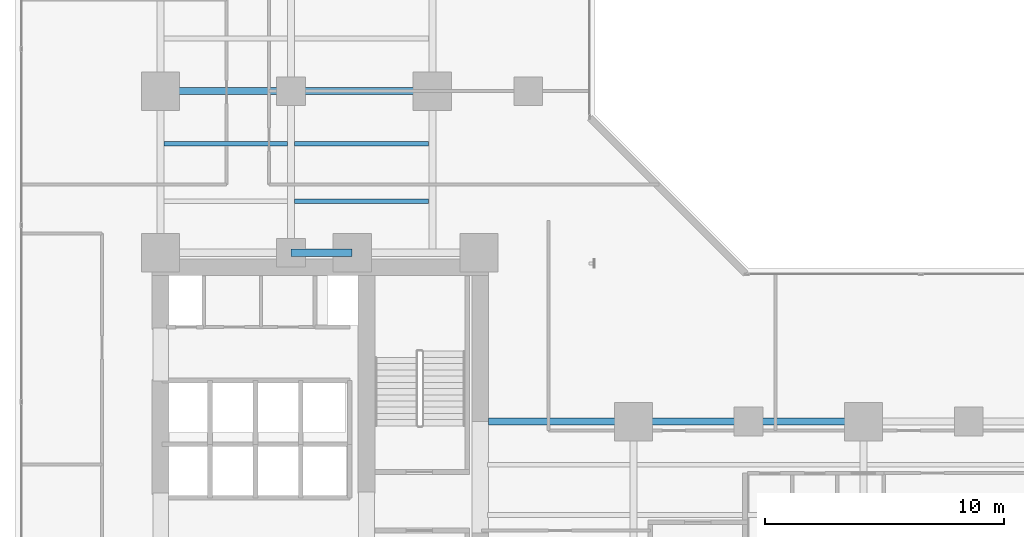
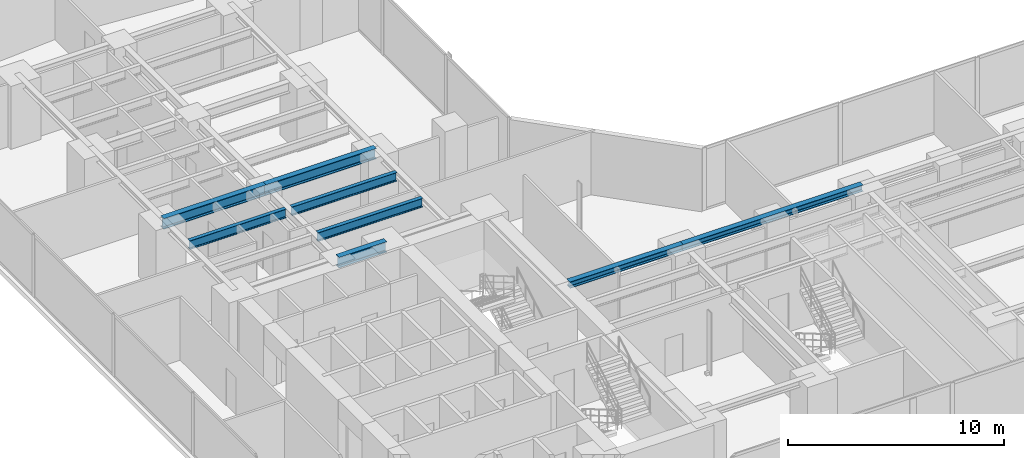
# One storey, part 7 of 28: 8 beams.
"""IFC4 building model written with IfcOpenShell, lengths in metres."""

import ifcopenshell
import ifcopenshell.guid

model = None  # the IFC model being written
_history = None  # IfcOwnerHistory: only IFC2X3 demands one
_inside = {}  # id of a spatial element -> (the spatial element, [elements in it])
_under = {}  # id of a project, library or spatial element -> (it, [spatial elements below it])
_declared = {}  # id of a project -> (the project, [libraries it declares])
_typed = {}  # id of a type object -> (the type object, [elements of that type])
_made_of = {}  # id of a material, layer set ... -> (it, [elements and type objects made of it])


def new_model(schema):
    """Start an empty IFC model of exactly this schema.

    Asked for "IFC4X3", IfcOpenShell would pick the latest addendum, in which some entities
    have other attributes; the version numbers below select the first issue.
    IFC2X3 requires an IfcOwnerHistory on every rooted entity: one is made here for all.
    """
    global model, _history
    if schema == "IFC4X3":
        model = ifcopenshell.file(schema_version=(4, 3, 0, 0))
    else:
        model = ifcopenshell.file(schema=schema)
    _inside.clear()
    _under.clear()
    _declared.clear()
    _typed.clear()
    _made_of.clear()
    _history = None
    if model.schema == "IFC2X3":
        org = make("IfcOrganization", Name="unknown")
        user = make(
            "IfcPersonAndOrganization",
            ThePerson=make("IfcPerson", FamilyName="unknown"),
            TheOrganization=org,
        )
        app = make(
            "IfcApplication",
            ApplicationDeveloper=org,
            Version="unknown",
            ApplicationFullName="unknown",
            ApplicationIdentifier="unknown",
        )
        _history = make(
            "IfcOwnerHistory",
            OwningUser=user,
            OwningApplication=app,
            ChangeAction="ADDED",
            CreationDate=0,
        )
    return model


def make(cls, **values):
    """One entity of the class cls with the attributes given. An attribute that is None is left unset."""
    return model.create_entity(
        cls, **{name: value for name, value in values.items() if value is not None}
    )


def rooted(cls, **values):
    """An entity with a GlobalId (a new one), such as an element, a storey or a relation."""
    return make(cls, GlobalId=ifcopenshell.guid.new(), OwnerHistory=_history, **values)


def si_unit(unit_type, name, prefix=None):
    """IfcSIUnit, for example si_unit("LENGTHUNIT", "METRE", prefix="MILLI")."""
    return make("IfcSIUnit", UnitType=unit_type, Prefix=prefix, Name=name)


def assignment(units):
    """IfcUnitAssignment: the units of a project."""
    return None if units is None else make("IfcUnitAssignment", Units=units)


def point(xyz):
    """IfcCartesianPoint."""
    return None if xyz is None else make("IfcCartesianPoint", Coordinates=xyz)


def direction(xyz):
    """IfcDirection."""
    return None if xyz is None else make("IfcDirection", DirectionRatios=xyz)


def frame(location, z_axis=None, x_axis=None):
    """IfcAxis2Placement3D, a coordinate frame: its origin and axes. An axis left out is left unset."""
    return make(
        "IfcAxis2Placement3D",
        Location=point(location),
        Axis=direction(z_axis),
        RefDirection=direction(x_axis),
    )


def frame_2d(location, x_axis=None):
    """IfcAxis2Placement2D, a coordinate frame in the plane: its origin and x axis."""
    return make(
        "IfcAxis2Placement2D", Location=point(location), RefDirection=direction(x_axis)
    )


def origin():
    """The frame at (0, 0, 0) with its axes left unset."""
    return frame((0.0, 0.0, 0.0))


def origin_2d():
    """The frame at (0, 0) in the plane with its x axis left unset."""
    return frame_2d((0.0, 0.0))


def place(relative_to, where):
    """IfcLocalPlacement: puts the frame where relative to a parent placement (None: the world)."""
    return make(
        "IfcLocalPlacement", PlacementRelTo=relative_to, RelativePlacement=where
    )


def context(
    kind, dimensions, precision=None, world=None, true_north=None, identifier=None
):
    """IfcGeometricRepresentationContext, for example the 3D "Model" context."""
    return make(
        "IfcGeometricRepresentationContext",
        ContextIdentifier=identifier,
        ContextType=kind,
        CoordinateSpaceDimension=dimensions,
        Precision=precision,
        WorldCoordinateSystem=world,
        TrueNorth=true_north,
    )


def subcontext(parent, identifier, kind, view, scale=None):
    """IfcGeometricRepresentationSubContext, for example "Body" below "Model"."""
    return make(
        "IfcGeometricRepresentationSubContext",
        ContextIdentifier=identifier,
        ContextType=kind,
        ParentContext=parent,
        TargetScale=scale,
        TargetView=view,
    )


def project(units=None, contexts=None):
    """IfcProject with its units and contexts."""
    return rooted(
        "IfcProject",
        Name="project",
        RepresentationContexts=contexts,
        UnitsInContext=assignment(units),
    )


def spatial(cls, under=None, at=None, **own):
    """A site, building, storey or space (cls), placed at a placement, below another one or the project."""
    s = rooted(cls, ObjectPlacement=at, **own)
    if under is not None:
        _under.setdefault(under.id(), (under, []))[1].append(s)
    return s


def profile(cls, at=None, kind="AREA", **sizes):
    """A parametric profile (cls). Its sizes go by their IFC names, for example OverallWidth=200.0."""
    return make(cls, ProfileType=kind, Position=at, **sizes)


def i_section(**sizes):
    """IfcIShapeProfileDef."""
    return profile("IfcIShapeProfileDef", **sizes)


def extrude(swept, where, along, depth):
    """IfcExtrudedAreaSolid: the profile swept, set in the frame where, extruded along a direction by depth."""
    return make(
        "IfcExtrudedAreaSolid",
        SweptArea=swept,
        Position=where,
        ExtrudedDirection=direction(along),
        Depth=depth,
    )


def shape(context_of_items, identifier, shape_type, items):
    """IfcShapeRepresentation: the items that make up one representation, for example the "Body"."""
    return make(
        "IfcShapeRepresentation",
        ContextOfItems=context_of_items,
        RepresentationIdentifier=identifier,
        RepresentationType=shape_type,
        Items=items,
    )


def material(Name=None, Category=None):
    """IfcMaterial."""
    return make("IfcMaterial", Name=Name, Category=Category)


def material_profile(
    of_material, cross_section, Name=None, Category=None, Priority=None
):
    """IfcMaterialProfile: a cross section and its material."""
    return make(
        "IfcMaterialProfile",
        Name=Name,
        Material=of_material,
        Profile=cross_section,
        Priority=Priority,
        Category=Category,
    )


def profile_set(profiles, Name=None, composite=None):
    """IfcMaterialProfileSet."""
    return make(
        "IfcMaterialProfileSet",
        Name=Name,
        MaterialProfiles=profiles,
        CompositeProfile=composite,
    )


def made_of(thing, what):
    """Note that an element or type object is made of a material, layer set ...; save() writes the relation."""
    if what is not None:
        _made_of.setdefault(what.id(), (what, []))[1].append(thing)
    return thing


def type_object(cls, material=None, **own):
    """A type object (cls), such as IfcWallType, which elements share."""
    return made_of(rooted(cls, **own), material)


def element(
    cls,
    number,
    at=None,
    inside=None,
    cuts=None,
    type_object=None,
    material=None,
    context=None,
    identifier="Body",
    shape_type=None,
    held_by="IfcProductDefinitionShape",
    body=None,
    shapes=None,
    **own,
):
    """One element of the class cls, such as IfcWall. Its Tag is "e" and its number.

    at: its placement. inside: the storey or other place that contains it. cuts: it is an
    opening in that element (IfcRelVoidsElement). A single representation is given by context,
    identifier, shape_type and body (its items); several are given by shapes. held_by: the class
    of the entity that holds the representations. save() writes the other relations.
    """
    e = rooted(cls, Tag="e%d" % number, ObjectPlacement=at, **own)
    if body is not None:
        shapes = [shape(context, identifier, shape_type, body)]
    if shapes is not None:
        e.Representation = make(held_by, Representations=shapes)
    if inside is not None:
        _inside.setdefault(inside.id(), (inside, []))[1].append(e)
    if cuts is not None:
        rooted(
            "IfcRelVoidsElement", RelatingBuildingElement=cuts, RelatedOpeningElement=e
        )
    if type_object is not None:
        _typed.setdefault(type_object.id(), (type_object, []))[1].append(e)
    return made_of(e, material)


def aggregate(whole, parts):
    """IfcRelAggregates: a whole, such as a stair, and the parts it consists of."""
    return rooted("IfcRelAggregates", RelatingObject=whole, RelatedObjects=parts)


def save(model, path):
    """Write the relations noted so far, then the file.

    IfcRelAggregates (storeys below a building ...), IfcRelContainedInSpatialStructure (elements
    in a storey), IfcRelDefinesByType, IfcRelAssociatesMaterial and IfcRelDeclares: one each for
    every whole, place, type object, material and project.
    """
    for whole, parts in _under.values():
        aggregate(whole, parts)
    for where, things in _inside.values():
        rooted(
            "IfcRelContainedInSpatialStructure",
            RelatedElements=things,
            RelatingStructure=where,
        )
    for kind, things in _typed.values():
        rooted("IfcRelDefinesByType", RelatedObjects=things, RelatingType=kind)
    for what, things in _made_of.values():
        rooted("IfcRelAssociatesMaterial", RelatedObjects=things, RelatingMaterial=what)
    for by, libraries in _declared.values():
        rooted("IfcRelDeclares", RelatingContext=by, RelatedDefinitions=libraries)
    model.write(path)


model = new_model("IFC4")

# Units and contexts
model_context = context("Model", 3, precision=1e-05, world=origin(), true_north=direction((0.0, 1.0)))
body_context = subcontext(model_context, "Body", "Model", "MODEL_VIEW")
ifc_project = project(units=[si_unit("LENGTHUNIT", "METRE"), si_unit("AREAUNIT", "SQUARE_METRE"), si_unit("VOLUMEUNIT", "CUBIC_METRE"), si_unit("PLANEANGLEUNIT", "RADIAN"), si_unit("MASSUNIT", "GRAM", prefix="KILO")], contexts=[model_context])

# Site, building, storey
site_placement = place(None, origin())
site = spatial("IfcSite", under=ifc_project, at=site_placement, CompositionType="ELEMENT")
building_placement = place(site_placement, origin())
building = spatial("IfcBuilding", under=site, at=building_placement, Name="Kolvaren Waterfront Exchange", CompositionType="ELEMENT")
storey_placement = place(building_placement, frame((0.0, 0.0, 41.0)))
storey = spatial("IfcBuildingStorey", under=building, at=storey_placement, Name="L10", CompositionType="ELEMENT", Elevation=41.0)

# Beams
ifc_material = material(Name="Steel S355", Category="steel")
ifc_material_profile_1 = material_profile(ifc_material, i_section(OverallWidth=0.300048828125, OverallDepth=0.360107421875, WebThickness=0.012451171875, FlangeThickness=0.0224609375, FilletRadius=0.027099609375, at=origin_2d()), Name="HEB360")
ifc_profile_set_1 = profile_set([ifc_material_profile_1], Name="Steel S355")
beam_type_1 = type_object("IfcBeamType", Name="STR-BM-HEB360", PredefinedType="SPANDREL", material=ifc_profile_set_1)
beam_1_placement = place(storey_placement, frame((21.14990234375, 17.39990234375, 3.360107421875), z_axis=(1.0, 0.0, 0.0), x_axis=(0.0, 1.0, 0.0)))
element("IfcBeam", 1, at=beam_1_placement, inside=storey, type_object=beam_type_1, Name="L10 east-arm spandrel N1", PredefinedType="SPANDREL", context=body_context, shape_type="SweptSolid", body=[
    extrude(i_section(OverallWidth=0.300048828125, OverallDepth=0.360107421875, WebThickness=0.012451171875, FlangeThickness=0.0224609375, FilletRadius=0.027099609375, at=origin_2d()), origin(), (0.0, 0.0, 1.0), 6.050048828125),
])
beam_2_placement = place(storey_placement, frame((27.199951171875, 17.39990234375, 3.360107421875), z_axis=(1.0, 0.0, 0.0), x_axis=(0.0, 1.0, 0.0)))
element("IfcBeam", 2, at=beam_2_placement, inside=storey, type_object=beam_type_1, Name="L10 east-arm spandrel N2", PredefinedType="SPANDREL", context=body_context, shape_type="SweptSolid", body=[
    extrude(i_section(OverallWidth=0.300048828125, OverallDepth=0.360107421875, WebThickness=0.012451171875, FlangeThickness=0.0224609375, FilletRadius=0.027099609375, at=origin_2d()), origin(), (0.0, 0.0, 1.0), 9.60009765625),
])
ifc_material_profile_2 = material_profile(ifc_material, i_section(OverallWidth=0.300048828125, OverallDepth=0.60009765625, WebThickness=0.015380859375, FlangeThickness=0.030029296875, FilletRadius=0.027099609375, at=origin_2d()), Name="HEB600")
ifc_profile_set_2 = profile_set([ifc_material_profile_2], Name="Steel S355")
beam_type_2 = type_object("IfcBeamType", Name="STR-BM-HEB600", PredefinedType="BEAM", material=ifc_profile_set_2)
beam_3_placement = place(storey_placement, frame((12.89990234375, 24.449951171875, 3.239990234375), z_axis=(1.0, 0.0, 0.0), x_axis=(0.0, 1.0, 0.0)))
element("IfcBeam", 3, at=beam_3_placement, inside=storey, type_object=beam_type_2, Name="L10 north-arm girder 1B", PredefinedType="BEAM", context=body_context, shape_type="SweptSolid", body=[
    extrude(i_section(OverallWidth=0.300048828125, OverallDepth=0.60009765625, WebThickness=0.015380859375, FlangeThickness=0.030029296875, FilletRadius=0.027099609375, at=origin_2d()), origin(), (0.0, 0.0, 1.0), 2.550048828125),
])
beam_4_placement = place(storey_placement, frame((7.449951171875, 31.199951171875, 3.239990234375), z_axis=(1.0, 0.0, 0.0), x_axis=(0.0, 1.0, 0.0)))
element("IfcBeam", 4, at=beam_4_placement, inside=storey, type_object=beam_type_2, Name="L10 north-arm girder 2A", PredefinedType="BEAM", context=body_context, shape_type="SweptSolid", body=[
    extrude(i_section(OverallWidth=0.300048828125, OverallDepth=0.60009765625, WebThickness=0.015380859375, FlangeThickness=0.030029296875, FilletRadius=0.027099609375, at=origin_2d()), origin(), (0.0, 0.0, 1.0), 5.449951171875),
])
beam_5_placement = place(storey_placement, frame((12.89990234375, 31.199951171875, 3.239990234375), z_axis=(1.0, 0.0, 0.0), x_axis=(0.0, 1.0, 0.0)))
element("IfcBeam", 5, at=beam_5_placement, inside=storey, type_object=beam_type_2, Name="L10 north-arm girder 2B", PredefinedType="BEAM", context=body_context, shape_type="SweptSolid", body=[
    extrude(i_section(OverallWidth=0.300048828125, OverallDepth=0.60009765625, WebThickness=0.015380859375, FlangeThickness=0.030029296875, FilletRadius=0.027099609375, at=origin_2d()), origin(), (0.0, 0.0, 1.0), 5.900146484375),
])
ifc_material_profile_3 = material_profile(ifc_material, i_section(OverallWidth=0.199951171875, OverallDepth=0.5, WebThickness=0.01025390625, FlangeThickness=0.01611328125, FilletRadius=0.02099609375, at=origin_2d()), Name="IPE500")
ifc_profile_set_3 = profile_set([ifc_material_profile_3], Name="Steel S355")
beam_type_3 = type_object("IfcBeamType", Name="STR-BM-IPE500", PredefinedType="JOIST", material=ifc_profile_set_3)
beam_6_placement = place(storey_placement, frame((13.052001953125, 26.60009765625, 3.2900390625), z_axis=(1.0, 0.0, 0.0), x_axis=(0.0, 1.0, 0.0)))
element("IfcBeam", 6, at=beam_6_placement, inside=storey, type_object=beam_type_3, Name="L10 north-arm composite joist 1B", PredefinedType="JOIST", context=body_context, shape_type="SweptSolid", body=[
    extrude(i_section(OverallWidth=0.199951171875, OverallDepth=0.5, WebThickness=0.01025390625, FlangeThickness=0.01611328125, FilletRadius=0.02099609375, at=origin_2d()), origin(), (0.0, 0.0, 1.0), 5.595947265625),
])
beam_7_placement = place(storey_placement, frame((7.60205078125, 29.0, 3.2900390625), z_axis=(1.0, 0.0, 0.0), x_axis=(0.0, 1.0, 0.0)))
element("IfcBeam", 7, at=beam_7_placement, inside=storey, type_object=beam_type_3, Name="L10 north-arm composite joist 2A", PredefinedType="JOIST", context=body_context, shape_type="SweptSolid", body=[
    extrude(i_section(OverallWidth=0.199951171875, OverallDepth=0.5, WebThickness=0.01025390625, FlangeThickness=0.01611328125, FilletRadius=0.02099609375, at=origin_2d()), origin(), (0.0, 0.0, 1.0), 5.14599609375),
])
beam_8_placement = place(storey_placement, frame((13.052001953125, 29.0, 3.2900390625), z_axis=(1.0, 0.0, 0.0), x_axis=(0.0, 1.0, 0.0)))
element("IfcBeam", 8, at=beam_8_placement, inside=storey, type_object=beam_type_3, Name="L10 north-arm composite joist 2B", PredefinedType="JOIST", context=body_context, shape_type="SweptSolid", body=[
    extrude(i_section(OverallWidth=0.199951171875, OverallDepth=0.5, WebThickness=0.01025390625, FlangeThickness=0.01611328125, FilletRadius=0.02099609375, at=origin_2d()), origin(), (0.0, 0.0, 1.0), 5.595947265625),
])

save(model, "model.ifc")
